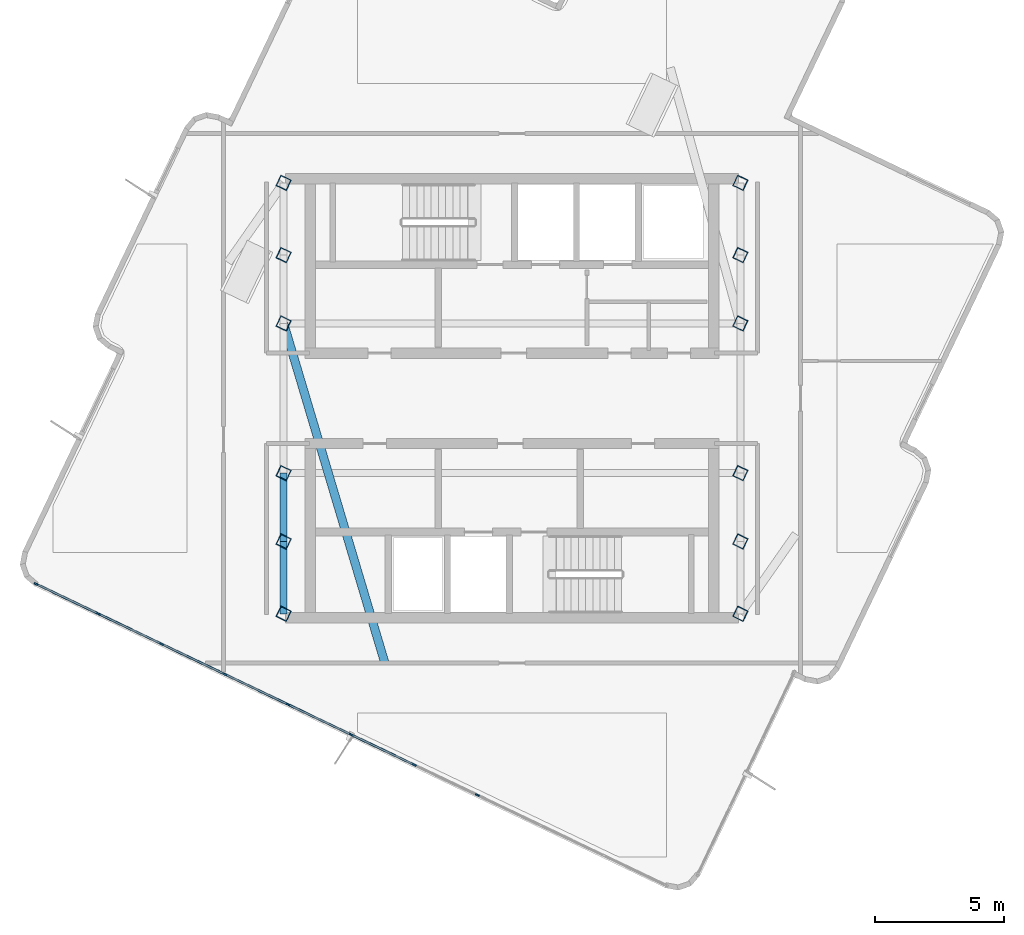
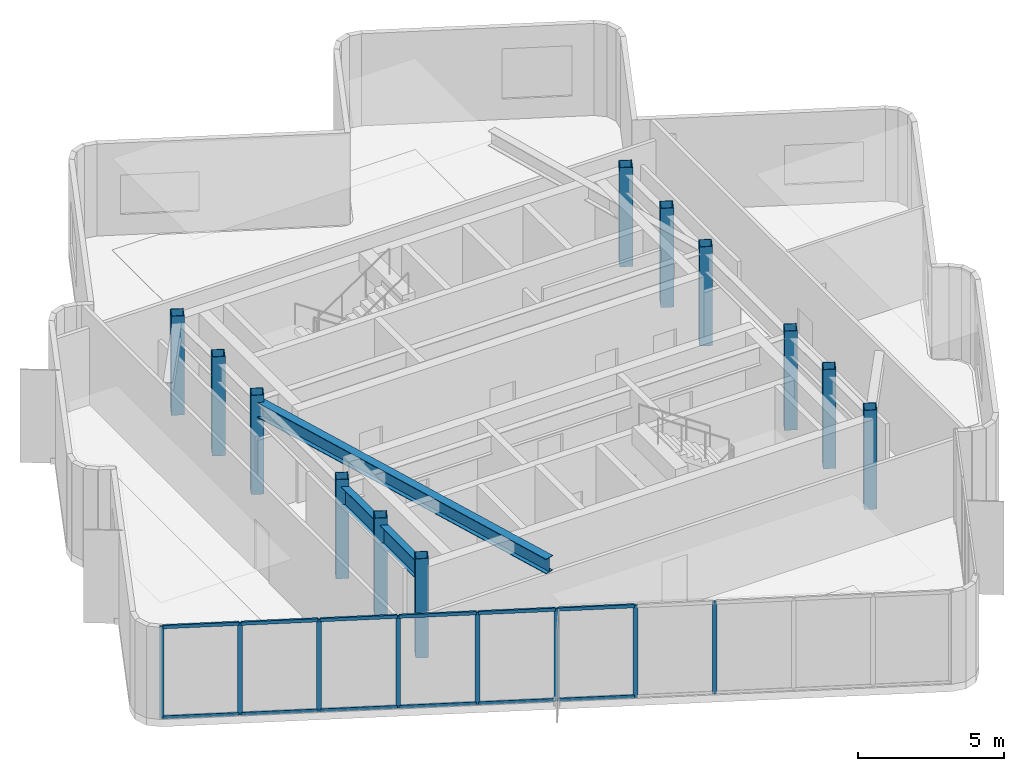
# One storey, part 1 of 8: 20 members, 12 columns, 3 beams, 1 element without a shape of its own.
"""IFC4 building model written with IfcOpenShell, lengths in metres."""

from ifc_helpers import new_model, si_unit, direction, frame, origin, origin_2d, place, context, subcontext, project, spatial, rectangle, hollow_rectangle, i_section, extrude, material, layer, layer_set, material_profile, profile_set, type_object, element, aggregate, save


model = new_model("IFC4")

# Units and contexts
model_context = context("Model", 3, precision=1e-05, world=origin(), true_north=direction((0.0, 1.0)))
body_context = subcontext(model_context, "Body", "Model", "MODEL_VIEW")
ifc_project = project(units=[si_unit("LENGTHUNIT", "METRE"), si_unit("AREAUNIT", "SQUARE_METRE"), si_unit("VOLUMEUNIT", "CUBIC_METRE"), si_unit("PLANEANGLEUNIT", "RADIAN"), si_unit("MASSUNIT", "GRAM", prefix="KILO")], contexts=[model_context])

# Site, building, storey
site_placement = place(None, origin())
site = spatial("IfcSite", under=ifc_project, at=site_placement, CompositionType="ELEMENT")
building_placement = place(site_placement, origin())
building = spatial("IfcBuilding", under=site, at=building_placement, Name="Solmarez Civic Tower", CompositionType="ELEMENT")
storey_placement = place(building_placement, frame((0.0, 0.0, 293.39990234375)))
storey = spatial("IfcBuildingStorey", under=building, at=storey_placement, Name="L79 Crown", CompositionType="ELEMENT", Elevation=293.39990234375)

# Columns
ifc_material_1 = material(Name="Steel S355", Category="steel")
ifc_material_profile_1 = material_profile(ifc_material_1, hollow_rectangle(XDim=0.449951171875, YDim=0.449951171875, WallThickness=0.02197265625, at=origin_2d()), Name="HSS450X450X22")
ifc_profile_set_1 = profile_set([ifc_material_profile_1], Name="Steel S355")
column_type = type_object("IfcColumnType", Name="COL-HSS450", PredefinedType="COLUMN", material=ifc_profile_set_1)
for number, where, z_axis, x_axis, name in (
    (1, (-8.85009765625, -5.550048828125, 0.0), (0.0, 0.0, 1.0), (0.431456045681, 0.902133959368, 0.0), "L79 Crown Structural Column HC1"),
    (2, (-8.85009765625, -2.89990234375, 0.0), (0.0, 0.0, 1.0), (0.431456045681, 0.902133959368, 0.0), "L79 Crown Structural Column HC2"),
    (3, (-8.85009765625, 2.89990234375, 0.0), (0.0, 0.0, 1.0), (0.431456045681, 0.902133959368, 0.0), "L79 Crown Structural Column HC3"),
    (4, (-8.85009765625, 5.550048828125, 0.0), (0.0, 0.0, 1.0), (0.431456045681, 0.902133959368, 0.0), "L79 Crown Structural Column HC4"),
    (5, (8.85009765625, -5.550048828125, 0.0), (0.0, 0.0, 1.0), (0.431456045681, 0.902133959368, 0.0), "L79 Crown Structural Column HC5"),
    (6, (8.85009765625, -2.89990234375, 0.0), (0.0, 0.0, 1.0), (0.431456045681, 0.902133959368, 0.0), "L79 Crown Structural Column HC6"),
    (7, (8.85009765625, 2.89990234375, 0.0), (0.0, 0.0, 1.0), (0.431456045681, 0.902133959368, 0.0), "L79 Crown Structural Column HC7"),
    (8, (8.85009765625, 5.550048828125, 0.0), (0.0, 0.0, 1.0), (0.431456045681, 0.902133959368, 0.0), "L79 Crown Structural Column HC8"),
    (9, (-8.85009765625, 8.35009765625, 0.0), (0.0, 0.0, 1.0), (0.431456045681, 0.902133959368, 0.0), "L79 Crown Structural Column HC9"),
    (10, (8.85009765625, -8.35009765625, 0.0), (0.0, 0.0, 1.0), (0.431456045681, 0.902133959368, 0.0), "L79 Crown Structural Column HC10"),
    (11, (8.85009765625, 8.35009765625, 0.0), (0.0, 0.0, 1.0), (0.431456045681, 0.902133959368, 0.0), "L79 Crown Structural Column HC11"),
    (12, (-8.85009765625, -8.35009765625, 0.0), (0.0, 0.0, 1.0), (0.431456045681, 0.902133959368, 0.0), "L79 Crown Structural Column HC12"),
):
    element("IfcColumn", number, at=place(storey_placement, frame(where, z_axis=z_axis, x_axis=x_axis)), inside=storey, type_object=column_type, Name=name, PredefinedType="COLUMN", context=body_context, shape_type="SweptSolid", body=[
        extrude(hollow_rectangle(XDim=0.449951171875, YDim=0.449951171875, WallThickness=0.02197265625, at=origin_2d()), origin(), (0.0, 0.0, 1.0), 4.14013671875),
    ])

# Beams
ifc_material_profile_2 = material_profile(ifc_material_1, i_section(OverallWidth=0.327880859375, OverallDepth=0.6220703125, WebThickness=0.015380859375, FlangeThickness=0.0244140625, at=origin_2d()), Name="W24X131")
ifc_profile_set_2 = profile_set([ifc_material_profile_2], Name="Steel S355")
beam_type_1 = type_object("IfcBeamType", Name="BM-PR-W24X131", PredefinedType="BEAM", material=ifc_profile_set_2)
beam_1_placement = place(storey_placement, frame((-8.85009765625, 2.89990234375, 3.529052734375), z_axis=(0.285747082761, -0.958305068699, 0.0), x_axis=(0.958305068699, 0.285747082761, 0.0)))
element("IfcBeam", 13, at=beam_1_placement, inside=storey, type_object=beam_type_1, Name="L79 Crown Primary Floor Beam BM-L79 Crown-CR-W1", PredefinedType="BEAM", context=body_context, shape_type="SweptSolid", body=[
    extrude(i_section(OverallWidth=0.327880859375, OverallDepth=0.6220703125, WebThickness=0.015380859375, FlangeThickness=0.0244140625, at=origin_2d()), origin(), (0.0, 0.0, 1.0), 13.757568359375),
])
ifc_material_profile_3 = material_profile(ifc_material_1, i_section(OverallWidth=0.26708984375, OverallDepth=0.761962890625, WebThickness=0.014404296875, FlangeThickness=0.021484375, at=origin_2d()), Name="W30X116")
ifc_profile_set_3 = profile_set([ifc_material_profile_3], Name="Steel S355")
beam_type_2 = type_object("IfcBeamType", Name="BM-PR-W30X116", PredefinedType="BEAM", material=ifc_profile_set_3)
beam_2_placement = place(storey_placement, frame((-8.85009765625, -8.35009765625, 3.458984375), z_axis=(0.0, 1.0, 0.0), x_axis=(-1.0, 0.0, 0.0)))
element("IfcBeam", 14, at=beam_2_placement, inside=storey, type_object=beam_type_2, Name="L79 Crown Primary Floor Beam BM-L79 Crown-HC12-HC1", PredefinedType="BEAM", context=body_context, shape_type="SweptSolid", body=[
    extrude(i_section(OverallWidth=0.26708984375, OverallDepth=0.761962890625, WebThickness=0.014404296875, FlangeThickness=0.021484375, at=origin_2d()), origin(), (0.0, 0.0, 1.0), 2.800048828125),
])
beam_3_placement = place(storey_placement, frame((-8.85009765625, -5.550048828125, 3.458984375), z_axis=(0.0, 1.0, 0.0), x_axis=(-1.0, 0.0, 0.0)))
element("IfcBeam", 15, at=beam_3_placement, inside=storey, type_object=beam_type_2, Name="L79 Crown Primary Floor Beam BM-L79 Crown-HC1-HC2", PredefinedType="BEAM", context=body_context, shape_type="SweptSolid", body=[
    extrude(i_section(OverallWidth=0.26708984375, OverallDepth=0.761962890625, WebThickness=0.014404296875, FlangeThickness=0.021484375, at=origin_2d()), origin(), (0.0, 0.0, 1.0), 2.650146484375),
])

# Curtain wall, members
ifc_material_2 = material(Name="Bronze Anodised Aluminium EN AW-6063 T6", Category="aluminium")
ifc_layer = layer(ifc_material_2, 0.195068359375)
ifc_layer_set = layer_set([ifc_layer], Name="Bronze Anodised Aluminium EN AW-6063 T6")
curtain_wall_type = type_object("IfcCurtainWallType", Name="CW-SYS-7", PredefinedType="NOTDEFINED", material=ifc_layer_set)
curtain_wall_placement = place(storey_placement, origin())
curtain_wall = element("IfcCurtainWall", 16, at=curtain_wall_placement, inside=storey, type_object=curtain_wall_type, Name="L79 Crown Stick-Built Curtain Wall 2", PredefinedType="NOTDEFINED")
ifc_material_profile_4 = material_profile(ifc_material_2, rectangle(XDim=0.06494140625, YDim=0.1650390625, at=origin_2d()), Name="CWM-65X165")
ifc_profile_set_4 = profile_set([ifc_material_profile_4], Name="Bronze Anodised Aluminium EN AW-6063 T6")
member_type_1 = type_object("IfcMemberType", Name="CWM-TYPE-3", PredefinedType="MULLION", material=ifc_profile_set_4)
member_1_placement = place(storey_placement, frame((-1.341064453125, -15.376220703125, 0.0), z_axis=(0.0, 0.0, 1.0), x_axis=(-0.431454192784, -0.902134845535, 0.0)))
member_1 = element("IfcMember", 17, at=member_1_placement, type_object=member_type_1, Name="CWS7 mullion 4", PredefinedType="MULLION", context=body_context, shape_type="SweptSolid", body=[
    extrude(rectangle(XDim=0.06494140625, YDim=0.1650390625, at=origin_2d()), origin(), (0.0, 0.0, 1.0), 3.840087890625),
])
member_2_placement = place(storey_placement, frame((-3.7880859375, -14.205810546875, 0.0), z_axis=(0.0, 0.0, 1.0), x_axis=(-0.431454192784, -0.902134845535, 0.0)))
member_2 = element("IfcMember", 18, at=member_2_placement, type_object=member_type_1, Name="CWS7 mullion 5", PredefinedType="MULLION", context=body_context, shape_type="SweptSolid", body=[
    extrude(rectangle(XDim=0.06494140625, YDim=0.1650390625, at=origin_2d()), origin(), (0.0, 0.0, 1.0), 3.840087890625),
])
member_3_placement = place(storey_placement, frame((-6.235107421875, -13.035400390625, 0.0), z_axis=(0.0, 0.0, 1.0), x_axis=(-0.431454192784, -0.902134845535, 0.0)))
member_3 = element("IfcMember", 19, at=member_3_placement, type_object=member_type_1, Name="CWS7 mullion 6", PredefinedType="MULLION", context=body_context, shape_type="SweptSolid", body=[
    extrude(rectangle(XDim=0.06494140625, YDim=0.1650390625, at=origin_2d()), origin(), (0.0, 0.0, 1.0), 3.840087890625),
])
member_4_placement = place(storey_placement, frame((-8.681884765625, -11.865234375, 0.0), z_axis=(0.0, 0.0, 1.0), x_axis=(-0.431454192784, -0.902134845535, 0.0)))
member_4 = element("IfcMember", 20, at=member_4_placement, type_object=member_type_1, Name="CWS7 mullion 7", PredefinedType="MULLION", context=body_context, shape_type="SweptSolid", body=[
    extrude(rectangle(XDim=0.06494140625, YDim=0.1650390625, at=origin_2d()), origin(), (0.0, 0.0, 1.0), 3.840087890625),
])
member_5_placement = place(storey_placement, frame((-11.12890625, -10.69482421875, 0.0), z_axis=(0.0, 0.0, 1.0), x_axis=(-0.431454192784, -0.902134845535, 0.0)))
member_5 = element("IfcMember", 21, at=member_5_placement, type_object=member_type_1, Name="CWS7 mullion 8", PredefinedType="MULLION", context=body_context, shape_type="SweptSolid", body=[
    extrude(rectangle(XDim=0.06494140625, YDim=0.1650390625, at=origin_2d()), origin(), (0.0, 0.0, 1.0), 3.840087890625),
])
member_6_placement = place(storey_placement, frame((-13.575927734375, -9.524658203125, 0.0), z_axis=(0.0, 0.0, 1.0), x_axis=(-0.431454192784, -0.902134845535, 0.0)))
member_6 = element("IfcMember", 22, at=member_6_placement, type_object=member_type_1, Name="CWS7 mullion 9", PredefinedType="MULLION", context=body_context, shape_type="SweptSolid", body=[
    extrude(rectangle(XDim=0.06494140625, YDim=0.1650390625, at=origin_2d()), origin(), (0.0, 0.0, 1.0), 3.840087890625),
])
member_7_placement = place(storey_placement, frame((-16.02294921875, -8.354248046875, 0.0), z_axis=(0.0, 0.0, 1.0), x_axis=(-0.431454192784, -0.902134845535, 0.0)))
member_7 = element("IfcMember", 23, at=member_7_placement, type_object=member_type_1, Name="CWS7 mullion 10", PredefinedType="MULLION", context=body_context, shape_type="SweptSolid", body=[
    extrude(rectangle(XDim=0.06494140625, YDim=0.1650390625, at=origin_2d()), origin(), (0.0, 0.0, 1.0), 3.840087890625),
])
member_8_placement = place(storey_placement, frame((-18.440673828125, -7.197998046875, 0.0), z_axis=(0.0, 0.0, 1.0), x_axis=(-0.431454192784, -0.902134845535, 0.0)))
member_8 = element("IfcMember", 24, at=member_8_placement, type_object=member_type_1, Name="CWS7 mullion 11", PredefinedType="MULLION", context=body_context, shape_type="SweptSolid", body=[
    extrude(rectangle(XDim=0.06494140625, YDim=0.1650390625, at=origin_2d()), origin(), (0.0, 0.0, 1.0), 3.840087890625),
])
ifc_material_profile_5 = material_profile(ifc_material_2, rectangle(XDim=0.070068359375, YDim=0.139892578125, at=origin_2d()), Name="CWT-70X140")
ifc_profile_set_5 = profile_set([ifc_material_profile_5], Name="Bronze Anodised Aluminium EN AW-6063 T6")
member_type_2 = type_object("IfcMemberType", Name="CWT-TYPE-1", PredefinedType="USERDEFINED", material=ifc_profile_set_5)
member_9_placement = place(storey_placement, frame((-3.8173828125, -14.19189453125, 0.03515625), z_axis=(-0.902110810232, 0.431504445009, 0.0), x_axis=(-0.431504445009, -0.902110810232, 0.0)))
member_9 = element("IfcMember", 25, at=member_9_placement, type_object=member_type_2, Name="CWS7 transom 5.1", ObjectType="TRANSOM", PredefinedType="USERDEFINED", context=body_context, shape_type="SweptSolid", body=[
    extrude(rectangle(XDim=0.070068359375, YDim=0.139892578125, at=origin_2d()), origin(), (0.0, 0.0, 1.0), 2.647216796875),
])
member_10_placement = place(storey_placement, frame((-3.8173828125, -14.19189453125, 3.80517578125), z_axis=(-0.902110810232, 0.431504445009, 0.0), x_axis=(-0.431504445009, -0.902110810232, 0.0)))
member_10 = element("IfcMember", 26, at=member_10_placement, type_object=member_type_2, Name="CWS7 transom 5.2", ObjectType="TRANSOM", PredefinedType="USERDEFINED", context=body_context, shape_type="SweptSolid", body=[
    extrude(rectangle(XDim=0.070068359375, YDim=0.139892578125, at=origin_2d()), origin(), (0.0, 0.0, 1.0), 2.647216796875),
])
member_11_placement = place(storey_placement, frame((-6.264404296875, -13.021484375, 0.03515625), z_axis=(-0.902110810232, 0.431504445009, 0.0), x_axis=(-0.431504445009, -0.902110810232, 0.0)))
member_11 = element("IfcMember", 27, at=member_11_placement, type_object=member_type_2, Name="CWS7 transom 6.1", ObjectType="TRANSOM", PredefinedType="USERDEFINED", context=body_context, shape_type="SweptSolid", body=[
    extrude(rectangle(XDim=0.070068359375, YDim=0.139892578125, at=origin_2d()), origin(), (0.0, 0.0, 1.0), 2.647216796875),
])
member_12_placement = place(storey_placement, frame((-6.264404296875, -13.021484375, 3.80517578125), z_axis=(-0.902110810232, 0.431504445009, 0.0), x_axis=(-0.431504445009, -0.902110810232, 0.0)))
member_12 = element("IfcMember", 28, at=member_12_placement, type_object=member_type_2, Name="CWS7 transom 6.2", ObjectType="TRANSOM", PredefinedType="USERDEFINED", context=body_context, shape_type="SweptSolid", body=[
    extrude(rectangle(XDim=0.070068359375, YDim=0.139892578125, at=origin_2d()), origin(), (0.0, 0.0, 1.0), 2.647216796875),
])
member_13_placement = place(storey_placement, frame((-8.71142578125, -11.85107421875, 0.03515625), z_axis=(-0.902146707128, 0.431429390303, 0.0), x_axis=(-0.431429390303, -0.902146707128, 0.0)))
member_13 = element("IfcMember", 29, at=member_13_placement, type_object=member_type_2, Name="CWS7 transom 7.1", ObjectType="TRANSOM", PredefinedType="USERDEFINED", context=body_context, shape_type="SweptSolid", body=[
    extrude(rectangle(XDim=0.070068359375, YDim=0.139892578125, at=origin_2d()), origin(), (0.0, 0.0, 1.0), 2.647216796875),
])
member_14_placement = place(storey_placement, frame((-8.71142578125, -11.85107421875, 3.80517578125), z_axis=(-0.902146707128, 0.431429390303, 0.0), x_axis=(-0.431429390303, -0.902146707128, 0.0)))
member_14 = element("IfcMember", 30, at=member_14_placement, type_object=member_type_2, Name="CWS7 transom 7.2", ObjectType="TRANSOM", PredefinedType="USERDEFINED", context=body_context, shape_type="SweptSolid", body=[
    extrude(rectangle(XDim=0.070068359375, YDim=0.139892578125, at=origin_2d()), origin(), (0.0, 0.0, 1.0), 2.647216796875),
])
member_15_placement = place(storey_placement, frame((-11.158203125, -10.680908203125, 0.03515625), z_axis=(-0.902127979374, 0.431468549064, 0.0), x_axis=(-0.431468549064, -0.902127979374, 0.0)))
member_15 = element("IfcMember", 31, at=member_15_placement, type_object=member_type_2, Name="CWS7 transom 8.1", ObjectType="TRANSOM", PredefinedType="USERDEFINED", context=body_context, shape_type="SweptSolid", body=[
    extrude(rectangle(XDim=0.070068359375, YDim=0.139892578125, at=origin_2d()), origin(), (0.0, 0.0, 1.0), 2.6474609375),
])
member_16_placement = place(storey_placement, frame((-11.158203125, -10.680908203125, 3.80517578125), z_axis=(-0.902127979374, 0.431468549064, 0.0), x_axis=(-0.431468549064, -0.902127979374, 0.0)))
member_16 = element("IfcMember", 32, at=member_16_placement, type_object=member_type_2, Name="CWS7 transom 8.2", ObjectType="TRANSOM", PredefinedType="USERDEFINED", context=body_context, shape_type="SweptSolid", body=[
    extrude(rectangle(XDim=0.070068359375, YDim=0.139892578125, at=origin_2d()), origin(), (0.0, 0.0, 1.0), 2.6474609375),
])
member_17_placement = place(storey_placement, frame((-13.605224609375, -9.510498046875, 0.03515625), z_axis=(-0.902163870981, 0.431393497746, 0.0), x_axis=(-0.431393497746, -0.902163870981, 0.0)))
member_17 = element("IfcMember", 33, at=member_17_placement, type_object=member_type_2, Name="CWS7 transom 9.1", ObjectType="TRANSOM", PredefinedType="USERDEFINED", context=body_context, shape_type="SweptSolid", body=[
    extrude(rectangle(XDim=0.070068359375, YDim=0.139892578125, at=origin_2d()), origin(), (0.0, 0.0, 1.0), 2.6474609375),
])
member_18_placement = place(storey_placement, frame((-13.605224609375, -9.510498046875, 3.80517578125), z_axis=(-0.902163870981, 0.431393497746, 0.0), x_axis=(-0.431393497746, -0.902163870981, 0.0)))
member_18 = element("IfcMember", 34, at=member_18_placement, type_object=member_type_2, Name="CWS7 transom 9.2", ObjectType="TRANSOM", PredefinedType="USERDEFINED", context=body_context, shape_type="SweptSolid", body=[
    extrude(rectangle(XDim=0.070068359375, YDim=0.139892578125, at=origin_2d()), origin(), (0.0, 0.0, 1.0), 2.6474609375),
])
member_19_placement = place(storey_placement, frame((-16.05224609375, -8.34033203125, 0.03515625), z_axis=(-0.902150020632, 0.431422461486, 0.0), x_axis=(-0.431422461486, -0.902150020632, 0.0)))
member_19 = element("IfcMember", 35, at=member_19_placement, type_object=member_type_2, Name="CWS7 transom 10.1", ObjectType="TRANSOM", PredefinedType="USERDEFINED", context=body_context, shape_type="SweptSolid", body=[
    extrude(rectangle(XDim=0.070068359375, YDim=0.139892578125, at=origin_2d()), origin(), (0.0, 0.0, 1.0), 2.614990234375),
])
member_20_placement = place(storey_placement, frame((-16.05224609375, -8.34033203125, 3.80517578125), z_axis=(-0.902150020632, 0.431422461486, 0.0), x_axis=(-0.431422461486, -0.902150020632, 0.0)))
member_20 = element("IfcMember", 36, at=member_20_placement, type_object=member_type_2, Name="CWS7 transom 10.2", ObjectType="TRANSOM", PredefinedType="USERDEFINED", context=body_context, shape_type="SweptSolid", body=[
    extrude(rectangle(XDim=0.070068359375, YDim=0.139892578125, at=origin_2d()), origin(), (0.0, 0.0, 1.0), 2.614990234375),
])
aggregate(curtain_wall, [member_1, member_2, member_3, member_4, member_5, member_6, member_7, member_8, member_9, member_10, member_11, member_12, member_13, member_14, member_15, member_16, member_17, member_18, member_19, member_20])

save(model, "model.ifc")
